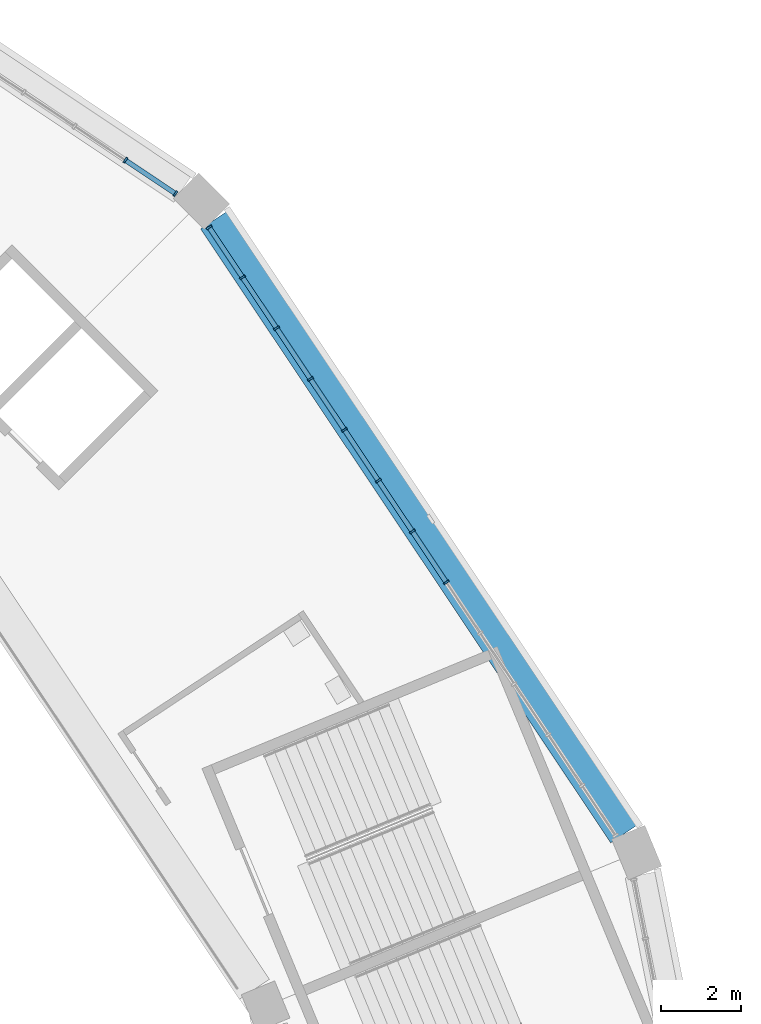
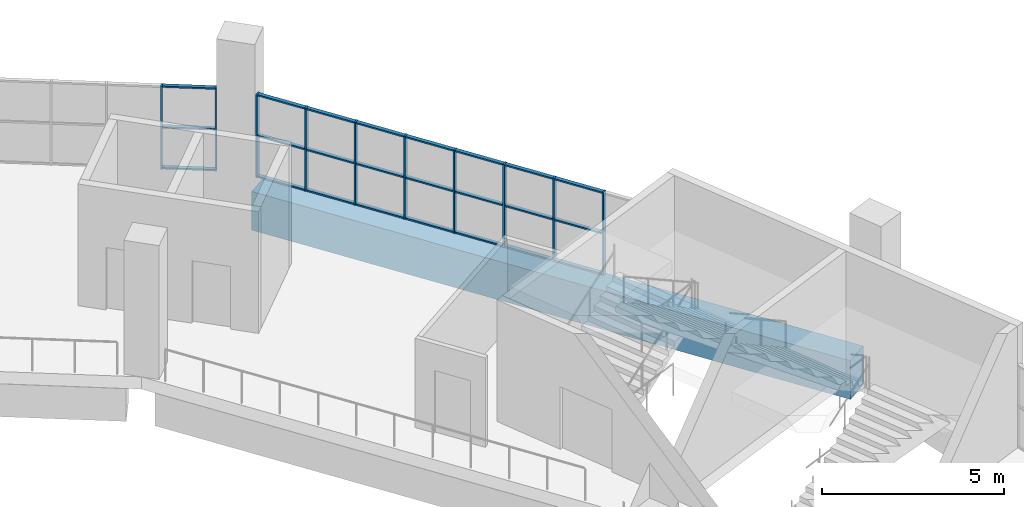
# One storey, part 39 of 177: 34 members, 1 beam, 2 elements without a shape of their own.
"""IFC4 building model written with IfcOpenShell, lengths in metres."""

from ifc_helpers import new_model, si_unit, direction, frame, origin, origin_2d, place, context, subcontext, project, spatial, rectangle, extrude, material, material_profile, profile_set, type_object, element, aggregate, save


model = new_model("IFC4")

# Units and contexts
model_context = context("Model", 3, precision=1e-05, world=origin(), true_north=direction((0.0, 1.0)))
body_context = subcontext(model_context, "Body", "Model", "MODEL_VIEW")
ifc_project = project(units=[si_unit("LENGTHUNIT", "METRE"), si_unit("AREAUNIT", "SQUARE_METRE"), si_unit("VOLUMEUNIT", "CUBIC_METRE"), si_unit("PLANEANGLEUNIT", "RADIAN"), si_unit("MASSUNIT", "GRAM", prefix="KILO")], contexts=[model_context])

# Site, building, storey
site_placement = place(None, origin())
site = spatial("IfcSite", under=ifc_project, at=site_placement, CompositionType="ELEMENT")
building_placement = place(site_placement, origin())
building = spatial("IfcBuilding", under=site, at=building_placement, Name="Ogive Plaza Stadium", CompositionType="ELEMENT")
storey_placement = place(building_placement, frame((0.0, 0.0, 18.0)))
storey = spatial("IfcBuildingStorey", under=building, at=storey_placement, Name="L04", CompositionType="ELEMENT", Elevation=18.0)

# Curtain wall, members
ifc_material_1 = material(Name="Bronze-anodised aluminium with laminated glass", Category="aluminium")
curtain_wall_type = type_object("IfcCurtainWallType", Name="Lancet curtain wall", PredefinedType="NOTDEFINED", material=ifc_material_1)
curtain_wall_1_placement = place(storey_placement, origin())
curtain_wall_1 = element("IfcCurtainWall", 1, at=curtain_wall_1_placement, inside=storey, type_object=curtain_wall_type, Name="CURTAIN WALL B38 L04", PredefinedType="NOTDEFINED")
ifc_material_2 = material(Name="Bronze-anodised aluminium", Category="aluminium")
ifc_material_profile_1 = material_profile(ifc_material_2, rectangle(XDim=0.14990234375, YDim=0.050048828125, at=origin_2d()), Name="AL 150x50")
ifc_profile_set_1 = profile_set([ifc_material_profile_1], Name="Bronze-anodised aluminium")
member_type_1 = type_object("IfcMemberType", Name="Curtain wall mullion 50x150", PredefinedType="MULLION", material=ifc_profile_set_1)
member_1_placement = place(storey_placement, frame((67.462646484375, 88.879638671875, 0.0), z_axis=(0.0, 0.0, 1.0), x_axis=(0.55557023302, 0.831469612303, 0.0)))
member_1 = element("IfcMember", 2, at=member_1_placement, type_object=member_type_1, Name="CW-B38-L04 mullion 12", PredefinedType="MULLION", context=body_context, shape_type="SweptSolid", body=[
    extrude(rectangle(XDim=0.14990234375, YDim=0.050048828125, at=origin_2d()), origin(), (0.0, 0.0, 1.0), 2.7900390625),
])
member_2_placement = place(storey_placement, frame((68.70751953125, 88.047607421875, 0.0), z_axis=(0.0, 0.0, 1.0), x_axis=(0.55557023302, 0.831469612303, 0.0)))
member_2 = element("IfcMember", 3, at=member_2_placement, type_object=member_type_1, Name="CW-B38-L04 mullion 13", PredefinedType="MULLION", context=body_context, shape_type="SweptSolid", body=[
    extrude(rectangle(XDim=0.14990234375, YDim=0.050048828125, at=origin_2d()), origin(), (0.0, 0.0, 1.0), 2.7900390625),
])

curtain_wall_2_placement = place(storey_placement, origin())
curtain_wall_2 = element("IfcCurtainWall", 4, at=curtain_wall_2_placement, inside=storey, type_object=curtain_wall_type, Name="CURTAIN WALL B39 L04", PredefinedType="NOTDEFINED")
member_3_placement = place(storey_placement, frame((69.547607421875, 87.20751953125, 0.0), z_axis=(0.0, 0.0, 1.0), x_axis=(0.831469612303, 0.55557023302, 0.0)))
member_3 = element("IfcMember", 5, at=member_3_placement, type_object=member_type_1, Name="CW-B39-L04 mullion 1", PredefinedType="MULLION", context=body_context, shape_type="SweptSolid", body=[
    extrude(rectangle(XDim=0.14990234375, YDim=0.050048828125, at=origin_2d()), origin(), (0.0, 0.0, 1.0), 2.7900390625),
])
member_4_placement = place(storey_placement, frame((70.379638671875, 85.962646484375, 0.0), z_axis=(0.0, 0.0, 1.0), x_axis=(0.831469612303, 0.55557023302, 0.0)))
member_4 = element("IfcMember", 6, at=member_4_placement, type_object=member_type_1, Name="CW-B39-L04 mullion 2", PredefinedType="MULLION", context=body_context, shape_type="SweptSolid", body=[
    extrude(rectangle(XDim=0.14990234375, YDim=0.050048828125, at=origin_2d()), origin(), (0.0, 0.0, 1.0), 2.7900390625),
])
member_5_placement = place(storey_placement, frame((71.225341796875, 84.69677734375, 0.0), z_axis=(0.0, 0.0, 1.0), x_axis=(0.831469612303, 0.55557023302, 0.0)))
member_5 = element("IfcMember", 7, at=member_5_placement, type_object=member_type_1, Name="CW-B39-L04 mullion 3", PredefinedType="MULLION", context=body_context, shape_type="SweptSolid", body=[
    extrude(rectangle(XDim=0.14990234375, YDim=0.050048828125, at=origin_2d()), origin(), (0.0, 0.0, 1.0), 2.7900390625),
])
member_6_placement = place(storey_placement, frame((72.071044921875, 83.430908203125, 0.0), z_axis=(0.0, 0.0, 1.0), x_axis=(0.831469612303, 0.55557023302, 0.0)))
member_6 = element("IfcMember", 8, at=member_6_placement, type_object=member_type_1, Name="CW-B39-L04 mullion 4", PredefinedType="MULLION", context=body_context, shape_type="SweptSolid", body=[
    extrude(rectangle(XDim=0.14990234375, YDim=0.050048828125, at=origin_2d()), origin(), (0.0, 0.0, 1.0), 2.7900390625),
])
member_7_placement = place(storey_placement, frame((72.916748046875, 82.165283203125, 0.0), z_axis=(0.0, 0.0, 1.0), x_axis=(0.831469612303, 0.55557023302, 0.0)))
member_7 = element("IfcMember", 9, at=member_7_placement, type_object=member_type_1, Name="CW-B39-L04 mullion 5", PredefinedType="MULLION", context=body_context, shape_type="SweptSolid", body=[
    extrude(rectangle(XDim=0.14990234375, YDim=0.050048828125, at=origin_2d()), origin(), (0.0, 0.0, 1.0), 2.7900390625),
])
member_8_placement = place(storey_placement, frame((73.7626953125, 80.8994140625, 0.0), z_axis=(0.0, 0.0, 1.0), x_axis=(0.831469612303, 0.55557023302, 0.0)))
member_8 = element("IfcMember", 10, at=member_8_placement, type_object=member_type_1, Name="CW-B39-L04 mullion 6", PredefinedType="MULLION", context=body_context, shape_type="SweptSolid", body=[
    extrude(rectangle(XDim=0.14990234375, YDim=0.050048828125, at=origin_2d()), origin(), (0.0, 0.0, 1.0), 2.7900390625),
])
member_9_placement = place(storey_placement, frame((74.6083984375, 79.633544921875, 0.0), z_axis=(0.0, 0.0, 1.0), x_axis=(0.831469612303, 0.55557023302, 0.0)))
member_9 = element("IfcMember", 11, at=member_9_placement, type_object=member_type_1, Name="CW-B39-L04 mullion 7", PredefinedType="MULLION", context=body_context, shape_type="SweptSolid", body=[
    extrude(rectangle(XDim=0.14990234375, YDim=0.050048828125, at=origin_2d()), origin(), (0.0, 0.0, 1.0), 2.7900390625),
])
member_10_placement = place(storey_placement, frame((75.4541015625, 78.367919921875, 0.0), z_axis=(0.0, 0.0, 1.0), x_axis=(0.831469612303, 0.55557023302, 0.0)))
member_10 = element("IfcMember", 12, at=member_10_placement, type_object=member_type_1, Name="CW-B39-L04 mullion 8", PredefinedType="MULLION", context=body_context, shape_type="SweptSolid", body=[
    extrude(rectangle(XDim=0.14990234375, YDim=0.050048828125, at=origin_2d()), origin(), (0.0, 0.0, 1.0), 2.7900390625),
])

# Member
ifc_material_3 = material(Name="Bronze-anodised aluminium", Category="aluminium")
ifc_material_profile_2 = material_profile(ifc_material_3, rectangle(XDim=0.1201171875, YDim=0.050048828125, at=origin_2d()), Name="AL 120x50")
ifc_profile_set_2 = profile_set([ifc_material_profile_2], Name="Bronze-anodised aluminium")
member_type_2 = type_object("IfcMemberType", Name="Curtain wall transom 50x120", PredefinedType="USERDEFINED", material=ifc_profile_set_2)
member_11_placement = place(storey_placement, frame((67.4833984375, 88.86572265625, 0.02490234375), z_axis=(0.831426948977, -0.555634077892, 0.0), x_axis=(0.555634077892, 0.831426948977, 0.0)))
member_11 = element("IfcMember", 13, at=member_11_placement, type_object=member_type_2, Name="CW-B38-L04 transom 12.1", ObjectType="TRANSOM", PredefinedType="USERDEFINED", context=body_context, shape_type="SweptSolid", body=[
    extrude(rectangle(XDim=0.1201171875, YDim=0.050048828125, at=origin_2d()), origin(), (0.0, 0.0, 1.0), 1.447265625),
])

member_12_placement = place(storey_placement, frame((67.4833984375, 88.86572265625, 1.39501953125), z_axis=(0.831426948977, -0.555634077892, 0.0), x_axis=(0.555634077892, 0.831426948977, 0.0)))
member_12 = element("IfcMember", 14, at=member_12_placement, type_object=member_type_2, Name="CW-B38-L04 transom 12.2", ObjectType="TRANSOM", PredefinedType="USERDEFINED", context=body_context, shape_type="SweptSolid", body=[
    extrude(rectangle(XDim=0.1201171875, YDim=0.050048828125, at=origin_2d()), origin(), (0.0, 0.0, 1.0), 1.447265625),
])

member_13_placement = place(storey_placement, frame((67.4833984375, 88.86572265625, 2.764892578125), z_axis=(0.831426948977, -0.555634077892, 0.0), x_axis=(0.555634077892, 0.831426948977, 0.0)))
member_13 = element("IfcMember", 15, at=member_13_placement, type_object=member_type_2, Name="CW-B38-L04 transom 12.3", ObjectType="TRANSOM", PredefinedType="USERDEFINED", context=body_context, shape_type="SweptSolid", body=[
    extrude(rectangle(XDim=0.1201171875, YDim=0.050048828125, at=origin_2d()), origin(), (0.0, 0.0, 1.0), 1.447265625),
])

aggregate(curtain_wall_1, [member_1, member_2, member_11, member_12, member_13])

member_14_placement = place(storey_placement, frame((69.5615234375, 87.186767578125, 0.02490234375), z_axis=(0.555634077892, -0.831426948977, 0.0), x_axis=(0.831426948977, 0.555634077892, 0.0)))
member_14 = element("IfcMember", 16, at=member_14_placement, type_object=member_type_2, Name="CW-B39-L04 transom 1.1", ObjectType="TRANSOM", PredefinedType="USERDEFINED", context=body_context, shape_type="SweptSolid", body=[
    extrude(rectangle(XDim=0.1201171875, YDim=0.050048828125, at=origin_2d()), origin(), (0.0, 0.0, 1.0), 1.447265625),
])

member_15_placement = place(storey_placement, frame((69.5615234375, 87.186767578125, 1.39501953125), z_axis=(0.555634077892, -0.831426948977, 0.0), x_axis=(0.831426948977, 0.555634077892, 0.0)))
member_15 = element("IfcMember", 17, at=member_15_placement, type_object=member_type_2, Name="CW-B39-L04 transom 1.2", ObjectType="TRANSOM", PredefinedType="USERDEFINED", context=body_context, shape_type="SweptSolid", body=[
    extrude(rectangle(XDim=0.1201171875, YDim=0.050048828125, at=origin_2d()), origin(), (0.0, 0.0, 1.0), 1.447265625),
])

member_16_placement = place(storey_placement, frame((69.5615234375, 87.186767578125, 2.764892578125), z_axis=(0.555634077892, -0.831426948977, 0.0), x_axis=(0.831426948977, 0.555634077892, 0.0)))
member_16 = element("IfcMember", 18, at=member_16_placement, type_object=member_type_2, Name="CW-B39-L04 transom 1.3", ObjectType="TRANSOM", PredefinedType="USERDEFINED", context=body_context, shape_type="SweptSolid", body=[
    extrude(rectangle(XDim=0.1201171875, YDim=0.050048828125, at=origin_2d()), origin(), (0.0, 0.0, 1.0), 1.447265625),
])

member_17_placement = place(storey_placement, frame((70.393310546875, 85.941650390625, 0.02490234375), z_axis=(0.555656472512, -0.831411982446, 0.0), x_axis=(0.831411982446, 0.555656472512, 0.0)))
member_17 = element("IfcMember", 19, at=member_17_placement, type_object=member_type_2, Name="CW-B39-L04 transom 2.1", ObjectType="TRANSOM", PredefinedType="USERDEFINED", context=body_context, shape_type="SweptSolid", body=[
    extrude(rectangle(XDim=0.1201171875, YDim=0.050048828125, at=origin_2d()), origin(), (0.0, 0.0, 1.0), 1.472412109375),
])

member_18_placement = place(storey_placement, frame((70.393310546875, 85.941650390625, 1.39501953125), z_axis=(0.555656472512, -0.831411982446, 0.0), x_axis=(0.831411982446, 0.555656472512, 0.0)))
member_18 = element("IfcMember", 20, at=member_18_placement, type_object=member_type_2, Name="CW-B39-L04 transom 2.2", ObjectType="TRANSOM", PredefinedType="USERDEFINED", context=body_context, shape_type="SweptSolid", body=[
    extrude(rectangle(XDim=0.1201171875, YDim=0.050048828125, at=origin_2d()), origin(), (0.0, 0.0, 1.0), 1.472412109375),
])

member_19_placement = place(storey_placement, frame((70.393310546875, 85.941650390625, 2.764892578125), z_axis=(0.555656472512, -0.831411982446, 0.0), x_axis=(0.831411982446, 0.555656472512, 0.0)))
member_19 = element("IfcMember", 21, at=member_19_placement, type_object=member_type_2, Name="CW-B39-L04 transom 2.3", ObjectType="TRANSOM", PredefinedType="USERDEFINED", context=body_context, shape_type="SweptSolid", body=[
    extrude(rectangle(XDim=0.1201171875, YDim=0.050048828125, at=origin_2d()), origin(), (0.0, 0.0, 1.0), 1.472412109375),
])

member_20_placement = place(storey_placement, frame((71.2392578125, 84.676025390625, 0.02490234375), z_axis=(0.555465240925, -0.83153975619, 0.0), x_axis=(0.83153975619, 0.555465240925, 0.0)))
member_20 = element("IfcMember", 22, at=member_20_placement, type_object=member_type_2, Name="CW-B39-L04 transom 3.1", ObjectType="TRANSOM", PredefinedType="USERDEFINED", context=body_context, shape_type="SweptSolid", body=[
    extrude(rectangle(XDim=0.1201171875, YDim=0.050048828125, at=origin_2d()), origin(), (0.0, 0.0, 1.0), 1.472412109375),
])

member_21_placement = place(storey_placement, frame((71.2392578125, 84.676025390625, 1.39501953125), z_axis=(0.555465240925, -0.83153975619, 0.0), x_axis=(0.83153975619, 0.555465240925, 0.0)))
member_21 = element("IfcMember", 23, at=member_21_placement, type_object=member_type_2, Name="CW-B39-L04 transom 3.2", ObjectType="TRANSOM", PredefinedType="USERDEFINED", context=body_context, shape_type="SweptSolid", body=[
    extrude(rectangle(XDim=0.1201171875, YDim=0.050048828125, at=origin_2d()), origin(), (0.0, 0.0, 1.0), 1.472412109375),
])

member_22_placement = place(storey_placement, frame((71.2392578125, 84.676025390625, 2.764892578125), z_axis=(0.555465240925, -0.83153975619, 0.0), x_axis=(0.83153975619, 0.555465240925, 0.0)))
member_22 = element("IfcMember", 24, at=member_22_placement, type_object=member_type_2, Name="CW-B39-L04 transom 3.3", ObjectType="TRANSOM", PredefinedType="USERDEFINED", context=body_context, shape_type="SweptSolid", body=[
    extrude(rectangle(XDim=0.1201171875, YDim=0.050048828125, at=origin_2d()), origin(), (0.0, 0.0, 1.0), 1.472412109375),
])

member_23_placement = place(storey_placement, frame((72.0849609375, 83.41015625, 0.02490234375), z_axis=(0.555541835587, -0.831488586159, 0.0), x_axis=(0.831488586159, 0.555541835587, 0.0)))
member_23 = element("IfcMember", 25, at=member_23_placement, type_object=member_type_2, Name="CW-B39-L04 transom 4.1", ObjectType="TRANSOM", PredefinedType="USERDEFINED", context=body_context, shape_type="SweptSolid", body=[
    extrude(rectangle(XDim=0.1201171875, YDim=0.050048828125, at=origin_2d()), origin(), (0.0, 0.0, 1.0), 1.47216796875),
])

member_24_placement = place(storey_placement, frame((72.0849609375, 83.41015625, 1.39501953125), z_axis=(0.555541835587, -0.831488586159, 0.0), x_axis=(0.831488586159, 0.555541835587, 0.0)))
member_24 = element("IfcMember", 26, at=member_24_placement, type_object=member_type_2, Name="CW-B39-L04 transom 4.2", ObjectType="TRANSOM", PredefinedType="USERDEFINED", context=body_context, shape_type="SweptSolid", body=[
    extrude(rectangle(XDim=0.1201171875, YDim=0.050048828125, at=origin_2d()), origin(), (0.0, 0.0, 1.0), 1.47216796875),
])

member_25_placement = place(storey_placement, frame((72.0849609375, 83.41015625, 2.764892578125), z_axis=(0.555541835587, -0.831488586159, 0.0), x_axis=(0.831488586159, 0.555541835587, 0.0)))
member_25 = element("IfcMember", 27, at=member_25_placement, type_object=member_type_2, Name="CW-B39-L04 transom 4.3", ObjectType="TRANSOM", PredefinedType="USERDEFINED", context=body_context, shape_type="SweptSolid", body=[
    extrude(rectangle(XDim=0.1201171875, YDim=0.050048828125, at=origin_2d()), origin(), (0.0, 0.0, 1.0), 1.47216796875),
])

member_26_placement = place(storey_placement, frame((72.9306640625, 82.14453125, 0.02490234375), z_axis=(0.555579876157, -0.831463168883, 0.0), x_axis=(0.831463168883, 0.555579876157, 0.0)))
member_26 = element("IfcMember", 28, at=member_26_placement, type_object=member_type_2, Name="CW-B39-L04 transom 5.1", ObjectType="TRANSOM", PredefinedType="USERDEFINED", context=body_context, shape_type="SweptSolid", body=[
    extrude(rectangle(XDim=0.1201171875, YDim=0.050048828125, at=origin_2d()), origin(), (0.0, 0.0, 1.0), 1.47265625),
])

member_27_placement = place(storey_placement, frame((72.9306640625, 82.14453125, 1.39501953125), z_axis=(0.555579876157, -0.831463168883, 0.0), x_axis=(0.831463168883, 0.555579876157, 0.0)))
member_27 = element("IfcMember", 29, at=member_27_placement, type_object=member_type_2, Name="CW-B39-L04 transom 5.2", ObjectType="TRANSOM", PredefinedType="USERDEFINED", context=body_context, shape_type="SweptSolid", body=[
    extrude(rectangle(XDim=0.1201171875, YDim=0.050048828125, at=origin_2d()), origin(), (0.0, 0.0, 1.0), 1.47265625),
])

member_28_placement = place(storey_placement, frame((72.9306640625, 82.14453125, 2.764892578125), z_axis=(0.555579876157, -0.831463168883, 0.0), x_axis=(0.831463168883, 0.555579876157, 0.0)))
member_28 = element("IfcMember", 30, at=member_28_placement, type_object=member_type_2, Name="CW-B39-L04 transom 5.3", ObjectType="TRANSOM", PredefinedType="USERDEFINED", context=body_context, shape_type="SweptSolid", body=[
    extrude(rectangle(XDim=0.1201171875, YDim=0.050048828125, at=origin_2d()), origin(), (0.0, 0.0, 1.0), 1.47265625),
])

member_29_placement = place(storey_placement, frame((73.7763671875, 80.878662109375, 0.02490234375), z_axis=(0.555656472512, -0.831411982446, 0.0), x_axis=(0.831411982446, 0.555656472512, 0.0)))
member_29 = element("IfcMember", 31, at=member_29_placement, type_object=member_type_2, Name="CW-B39-L04 transom 6.1", ObjectType="TRANSOM", PredefinedType="USERDEFINED", context=body_context, shape_type="SweptSolid", body=[
    extrude(rectangle(XDim=0.1201171875, YDim=0.050048828125, at=origin_2d()), origin(), (0.0, 0.0, 1.0), 1.472412109375),
])

member_30_placement = place(storey_placement, frame((73.7763671875, 80.878662109375, 1.39501953125), z_axis=(0.555656472512, -0.831411982446, 0.0), x_axis=(0.831411982446, 0.555656472512, 0.0)))
member_30 = element("IfcMember", 32, at=member_30_placement, type_object=member_type_2, Name="CW-B39-L04 transom 6.2", ObjectType="TRANSOM", PredefinedType="USERDEFINED", context=body_context, shape_type="SweptSolid", body=[
    extrude(rectangle(XDim=0.1201171875, YDim=0.050048828125, at=origin_2d()), origin(), (0.0, 0.0, 1.0), 1.472412109375),
])

member_31_placement = place(storey_placement, frame((73.7763671875, 80.878662109375, 2.764892578125), z_axis=(0.555656472512, -0.831411982446, 0.0), x_axis=(0.831411982446, 0.555656472512, 0.0)))
member_31 = element("IfcMember", 33, at=member_31_placement, type_object=member_type_2, Name="CW-B39-L04 transom 6.3", ObjectType="TRANSOM", PredefinedType="USERDEFINED", context=body_context, shape_type="SweptSolid", body=[
    extrude(rectangle(XDim=0.1201171875, YDim=0.050048828125, at=origin_2d()), origin(), (0.0, 0.0, 1.0), 1.472412109375),
])

member_32_placement = place(storey_placement, frame((74.622314453125, 79.61279296875, 0.02490234375), z_axis=(0.555541835587, -0.831488586159, 0.0), x_axis=(0.831488586159, 0.555541835587, 0.0)))
member_32 = element("IfcMember", 34, at=member_32_placement, type_object=member_type_2, Name="CW-B39-L04 transom 7.1", ObjectType="TRANSOM", PredefinedType="USERDEFINED", context=body_context, shape_type="SweptSolid", body=[
    extrude(rectangle(XDim=0.1201171875, YDim=0.050048828125, at=origin_2d()), origin(), (0.0, 0.0, 1.0), 1.47216796875),
])

member_33_placement = place(storey_placement, frame((74.622314453125, 79.61279296875, 1.39501953125), z_axis=(0.555541835587, -0.831488586159, 0.0), x_axis=(0.831488586159, 0.555541835587, 0.0)))
member_33 = element("IfcMember", 35, at=member_33_placement, type_object=member_type_2, Name="CW-B39-L04 transom 7.2", ObjectType="TRANSOM", PredefinedType="USERDEFINED", context=body_context, shape_type="SweptSolid", body=[
    extrude(rectangle(XDim=0.1201171875, YDim=0.050048828125, at=origin_2d()), origin(), (0.0, 0.0, 1.0), 1.47216796875),
])

member_34_placement = place(storey_placement, frame((74.622314453125, 79.61279296875, 2.764892578125), z_axis=(0.555541835587, -0.831488586159, 0.0), x_axis=(0.831488586159, 0.555541835587, 0.0)))
member_34 = element("IfcMember", 36, at=member_34_placement, type_object=member_type_2, Name="CW-B39-L04 transom 7.3", ObjectType="TRANSOM", PredefinedType="USERDEFINED", context=body_context, shape_type="SweptSolid", body=[
    extrude(rectangle(XDim=0.1201171875, YDim=0.050048828125, at=origin_2d()), origin(), (0.0, 0.0, 1.0), 1.47216796875),
])

aggregate(curtain_wall_2, [member_3, member_4, member_5, member_6, member_7, member_8, member_9, member_10, member_14, member_15, member_16, member_17, member_18, member_19, member_20, member_21, member_22, member_23, member_24, member_25, member_26, member_27, member_28, member_29, member_30, member_31, member_32, member_33, member_34])

# Beam
ifc_material_4 = material(Name="Concrete C40/50", Category="concrete")
ifc_material_profile_3 = material_profile(ifc_material_4, rectangle(XDim=0.800048828125, YDim=1.300048828125, at=origin_2d()), Name="RC 800x1300")
ifc_profile_set_3 = profile_set([ifc_material_profile_3], Name="Concrete C40/50")
beam_type = type_object("IfcBeamType", Name="RC spandrel beam 800x1300", PredefinedType="SPANDREL", material=ifc_profile_set_3)
beam_placement = place(storey_placement, frame((69.6669921875, 87.38916015625, -1.06005859375), z_axis=(0.555557833169, -0.831477897484, 0.0), x_axis=(0.831477897484, 0.555557833169, 0.0)))
element("IfcBeam", 37, at=beam_placement, inside=storey, type_object=beam_type, Name="Ring beam F5 L04 B39", PredefinedType="SPANDREL", context=body_context, shape_type="SweptSolid", body=[
    extrude(rectangle(XDim=0.800048828125, YDim=1.300048828125, at=origin_2d()), origin(), (0.0, 0.0, 1.0), 18.387451171875),
])

save(model, "model.ifc")
